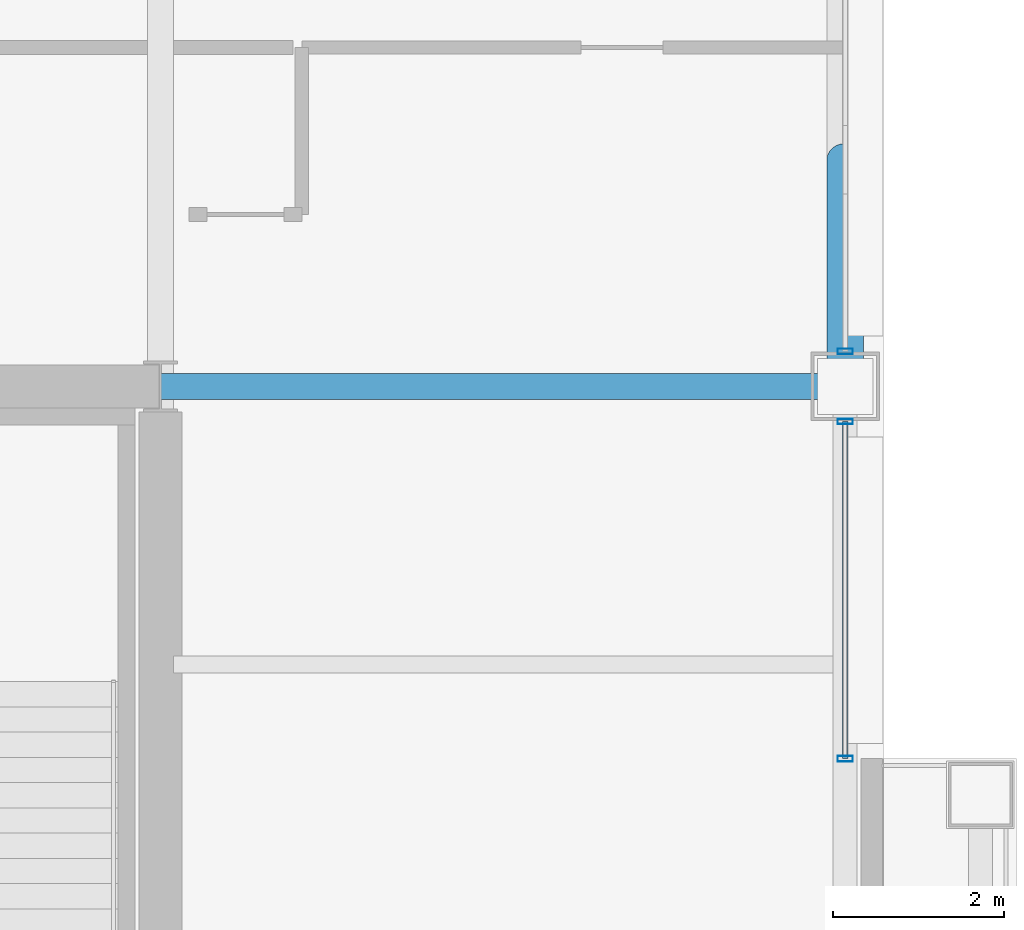
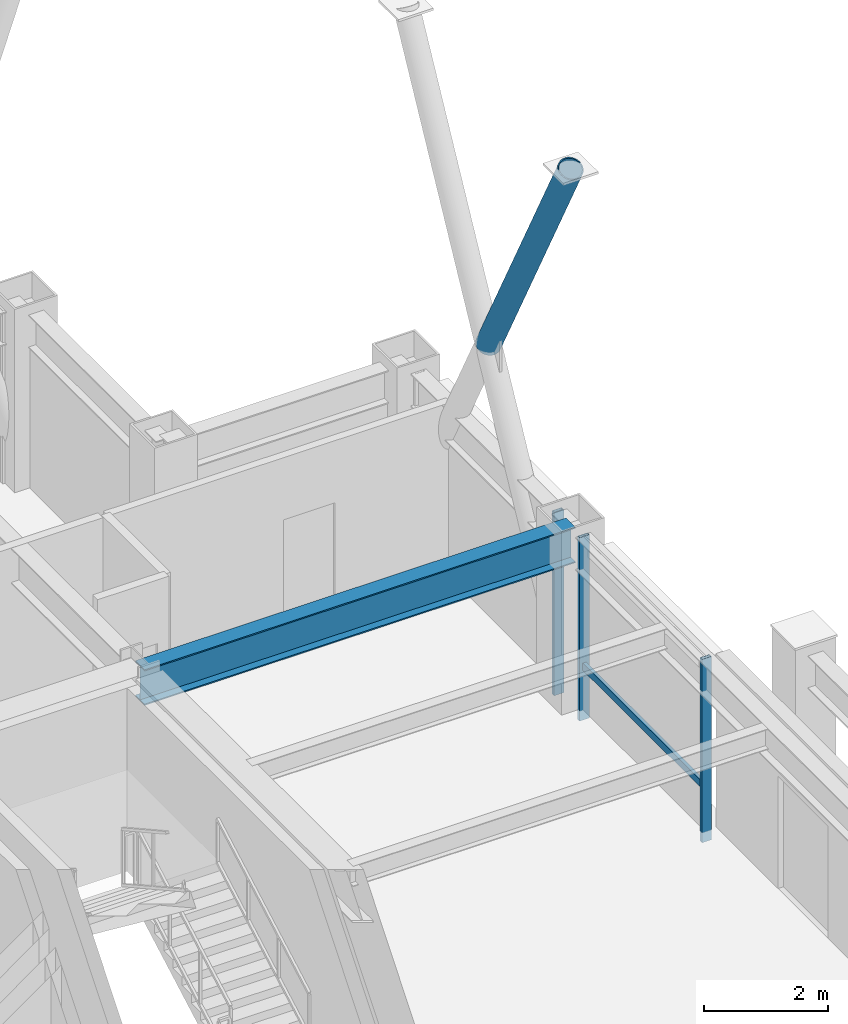
# One storey, part 17 of 33: 5 members, 1 beam, 2 elements without a shape of their own.
"""IFC4 building model written with IfcOpenShell, lengths in metres."""

from ifc_helpers import new_model, si_unit, direction, frame, origin, origin_2d, place, context, subcontext, project, spatial, hollow_rectangle, hollow_circle, i_section, extrude, material, layer, layer_set, material_profile, profile_set, type_object, element, aggregate, save


model = new_model("IFC4")

# Units and contexts
model_context = context("Model", 3, precision=1e-05, world=origin(), true_north=direction((0.0, 1.0)))
body_context = subcontext(model_context, "Body", "Model", "MODEL_VIEW")
ifc_project = project(units=[si_unit("LENGTHUNIT", "METRE"), si_unit("AREAUNIT", "SQUARE_METRE"), si_unit("VOLUMEUNIT", "CUBIC_METRE"), si_unit("PLANEANGLEUNIT", "RADIAN"), si_unit("MASSUNIT", "GRAM", prefix="KILO")], contexts=[model_context])

# Site, building, storey
site_placement = place(None, origin())
site = spatial("IfcSite", under=ifc_project, at=site_placement, CompositionType="ELEMENT")
building_placement = place(site_placement, origin())
building = spatial("IfcBuilding", under=site, at=building_placement, Name="Brelmoor Portico Tower", CompositionType="ELEMENT")
storey_placement = place(building_placement, frame((0.0, 0.0, 120.60009765625)))
storey = spatial("IfcBuildingStorey", under=building, at=storey_placement, Name="L31", CompositionType="ELEMENT", Elevation=120.60009765625)

# Beam
ifc_material_1 = material(Name="Steel Q355B", Category="steel")
ifc_material_profile_1 = material_profile(ifc_material_1, i_section(OverallWidth=0.300048828125, OverallDepth=0.699951171875, WebThickness=0.012939453125, FlangeThickness=0.02392578125, at=origin_2d()), Name="HN 700x300x13x24")
ifc_profile_set_1 = profile_set([ifc_material_profile_1], Name="Steel Q355B")
beam_type = type_object("IfcBeamType", Name="BM-PG-700", PredefinedType="BEAM", material=ifc_profile_set_1)
beam_placement = place(storey_placement, frame((14.550048828125, 9.75, 3.0498046875), z_axis=(1.0, 0.0, 0.0), x_axis=(0.0, 1.0, 0.0)))
element("IfcBeam", 1, at=beam_placement, inside=storey, type_object=beam_type, Name="L31 Primary Floor Girder PG-26", PredefinedType="BEAM", context=body_context, shape_type="SweptSolid", body=[
    extrude(i_section(OverallWidth=0.300048828125, OverallDepth=0.699951171875, WebThickness=0.012939453125, FlangeThickness=0.02392578125, at=origin_2d()), origin(), (0.0, 0.0, 1.0), 8.0),
])

# Member
ifc_material_profile_2 = material_profile(ifc_material_1, hollow_circle(Radius=0.212890625, WallThickness=0.02001953125, at=origin_2d()), Name="CHS 426x20")
ifc_profile_set_2 = profile_set([ifc_material_profile_2], Name="Steel Q355B")
member_type_1 = type_object("IfcMemberType", Name="MB-BELT-DIAG1", PredefinedType="BRACE", material=ifc_profile_set_2)
member_1_placement = place(storey_placement, frame((22.550048828125, 12.39990234375, 5.2998046875), z_axis=(0.0, -0.464645119255, 0.885496986529), x_axis=(1.0, 0.0, 0.0)))
element("IfcMember", 2, at=member_1_placement, inside=storey, type_object=member_type_1, Name="L31 Split Mega-X Brace 073B2", PredefinedType="BRACE", context=body_context, shape_type="SweptSolid", body=[
    extrude(hollow_circle(Radius=0.212890625, WallThickness=0.02001953125, at=origin_2d()), origin(), (0.0, 0.0, 1.0), 5.703125),
])

# Curtain wall, members
ifc_material_2 = material(Name="Anodised Aluminium Alloy 6063-T6", Category="aluminium")
ifc_layer_1 = layer(ifc_material_2, 0.179931640625)
ifc_layer_set_1 = layer_set([ifc_layer_1], Name="Anodised Aluminium Alloy 6063-T6")
curtain_wall_type_1 = type_object("IfcCurtainWallType", Name="CW-TOWER-Z2", PredefinedType="NOTDEFINED", material=ifc_layer_set_1)
curtain_wall_1_placement = place(storey_placement, origin())
curtain_wall_1 = element("IfcCurtainWall", 3, at=curtain_wall_1_placement, inside=storey, type_object=curtain_wall_type_1, Name="L31 Curtain Wall CW-L31-4R-1", PredefinedType="NOTDEFINED")
ifc_material_profile_3 = material_profile(ifc_material_2, hollow_rectangle(XDim=0.06494140625, YDim=0.179931640625, WallThickness=0.00390625, at=origin_2d()), Name="ALU MULLION 65x180")
ifc_profile_set_3 = profile_set([ifc_material_profile_3], Name="Anodised Aluminium Alloy 6063-T6")
member_type_2 = type_object("IfcMemberType", Name="MB-CW-MULL-180", PredefinedType="MULLION", material=ifc_profile_set_3)
member_2_placement = place(storey_placement, frame((22.550048828125, 5.39990234375, -0.2001953125), z_axis=(0.0, 0.0, 1.0), x_axis=(0.0, 1.0, 0.0)))
member_2 = element("IfcMember", 4, at=member_2_placement, type_object=member_type_2, Name="CW-L31-4R-1 Mullion 00", PredefinedType="MULLION", context=body_context, shape_type="SweptSolid", body=[
    extrude(hollow_rectangle(XDim=0.06494140625, YDim=0.179931640625, WallThickness=0.00390625, at=origin_2d()), origin(), (0.0, 0.0, 1.0), 3.60009765625),
])
member_3_placement = place(storey_placement, frame((22.550048828125, 9.340087890625, -0.2001953125), z_axis=(0.0, 0.0, 1.0), x_axis=(0.0, 1.0, 0.0)))
member_3 = element("IfcMember", 5, at=member_3_placement, type_object=member_type_2, Name="CW-L31-4R-1 Mullion 01", PredefinedType="MULLION", context=body_context, shape_type="SweptSolid", body=[
    extrude(hollow_rectangle(XDim=0.06494140625, YDim=0.179931640625, WallThickness=0.00390625, at=origin_2d()), origin(), (0.0, 0.0, 1.0), 3.60009765625),
])

# Curtain wall, member
ifc_layer_2 = layer(ifc_material_2, 0.179931640625)
ifc_layer_set_2 = layer_set([ifc_layer_2], Name="Anodised Aluminium Alloy 6063-T6")
curtain_wall_type_2 = type_object("IfcCurtainWallType", Name="CW-TOWER-Z2-XB", PredefinedType="NOTDEFINED", material=ifc_layer_set_2)
curtain_wall_2_placement = place(storey_placement, origin())
curtain_wall_2 = element("IfcCurtainWall", 6, at=curtain_wall_2_placement, inside=storey, type_object=curtain_wall_type_2, Name="L31 Curtain Wall CW-L31-4R-2", PredefinedType="NOTDEFINED")
member_4_placement = place(storey_placement, frame((22.550048828125, 10.159912109375, -0.2001953125), z_axis=(0.0, 0.0, 1.0), x_axis=(0.0, 1.0, 0.0)))
member_4 = element("IfcMember", 7, at=member_4_placement, type_object=member_type_2, Name="CW-L31-4R-2 Mullion 00", PredefinedType="MULLION", context=body_context, shape_type="SweptSolid", body=[
    extrude(hollow_rectangle(XDim=0.06494140625, YDim=0.179931640625, WallThickness=0.00390625, at=origin_2d()), origin(), (0.0, 0.0, 1.0), 3.60009765625),
])
aggregate(curtain_wall_2, [member_4])

# Member
ifc_material_profile_4 = material_profile(ifc_material_2, hollow_rectangle(XDim=0.06494140625, YDim=0.139892578125, WallThickness=0.00390625, at=origin_2d()), Name="ALU TRANSOM 65x140")
ifc_profile_set_4 = profile_set([ifc_material_profile_4], Name="Anodised Aluminium Alloy 6063-T6")
member_type_3 = type_object("IfcMemberType", Name="MB-CW-TRAN-140", PredefinedType="USERDEFINED", material=ifc_profile_set_4)
member_5_placement = place(storey_placement, frame((22.550048828125, 5.39990234375, 0.849853515625), z_axis=(0.0, 1.0, 0.0), x_axis=(-1.0, 0.0, 0.0)))
member_5 = element("IfcMember", 8, at=member_5_placement, type_object=member_type_3, Name="CW-L31-4R-1 Transom 1-00", ObjectType="TRANSOM", PredefinedType="USERDEFINED", context=body_context, shape_type="SweptSolid", body=[
    extrude(hollow_rectangle(XDim=0.06494140625, YDim=0.139892578125, WallThickness=0.00390625, at=origin_2d()), origin(), (0.0, 0.0, 1.0), 3.940185546875),
])

aggregate(curtain_wall_1, [member_2, member_3, member_5])

save(model, "model.ifc")
